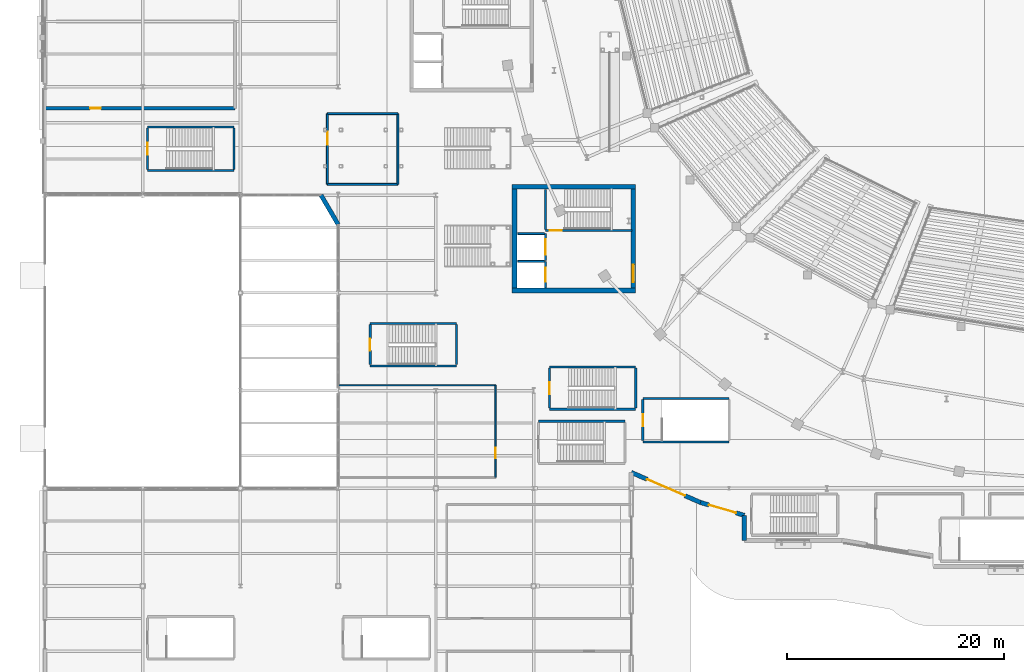
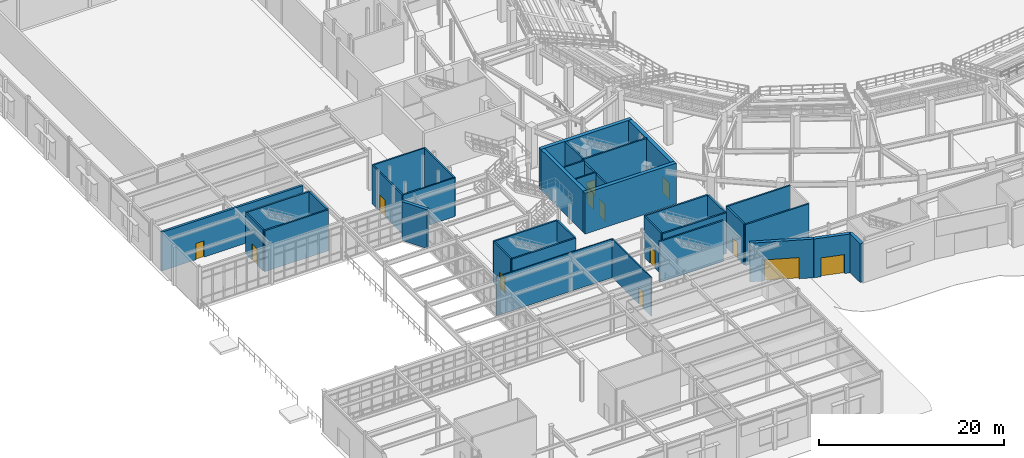
# One storey, part 48 of 79: 37 walls, 13 doors, 13 openings.
"""IFC4 building model written with IfcOpenShell, lengths in metres."""

from ifc_helpers import new_model, si_unit, direction, frame, frame_2d, origin, place, context, subcontext, project, spatial, rectangle, extrude, material, layer, layer_set, type_object, element, fill, save


model = new_model("IFC4")

# Units and contexts
model_context = context("Model", 3, precision=1e-05, world=origin(), true_north=direction((0.0, 1.0)))
body_context = subcontext(model_context, "Body", "Model", "MODEL_VIEW")
ifc_project = project(units=[si_unit("LENGTHUNIT", "METRE"), si_unit("AREAUNIT", "SQUARE_METRE"), si_unit("VOLUMEUNIT", "CUBIC_METRE"), si_unit("PLANEANGLEUNIT", "RADIAN"), si_unit("MASSUNIT", "GRAM", prefix="KILO")], contexts=[model_context])

# Site, building, storey
site_placement = place(None, origin())
site = spatial("IfcSite", under=ifc_project, at=site_placement, CompositionType="ELEMENT")
building_placement = place(site_placement, origin())
building = spatial("IfcBuilding", under=site, at=building_placement, Name="Glasvene Arena", CompositionType="ELEMENT")
storey_placement = place(building_placement, origin())
storey = spatial("IfcBuildingStorey", under=building, at=storey_placement, Name="L00", CompositionType="ELEMENT", Elevation=0.0)

# Walls
ifc_material_1 = material(Name="Concrete C40/50", Category="concrete")
ifc_layer_1 = layer(ifc_material_1, 0.449951171875)
ifc_layer_set_1 = layer_set([ifc_layer_1], Name="Concrete C40/50")
wall_type_1 = type_object("IfcWallType", Name="WL-CORE-450", PredefinedType="SHEAR", material=ifc_layer_set_1)
for number, where, z_axis, x_axis, name in (
    (1, (43.0, 45.22509765625, 0.0), (0.0, 0.0, 1.0), (1.0, 0.0, 0.0), "Core C3 South-West shear wall S L00"),
    (2, (43.0, 54.77490234375, 0.0), (0.0, 0.0, 1.0), (1.0, 0.0, 0.0), "Core C3 South-West shear wall N L00"),
):
    element("IfcWall", number, at=place(storey_placement, frame(where, z_axis=z_axis, x_axis=x_axis)), inside=storey, type_object=wall_type_1, Name=name, PredefinedType="SHEAR", context=body_context, shape_type="SweptSolid", body=[
        extrude(rectangle(XDim=11.39990234375, YDim=0.449951171875, at=frame_2d((5.699951171875, 0.0))), origin(), (0.0, 0.0, 1.0), 5.39990234375),
    ])
wall_1_placement = place(storey_placement, frame((43.22509765625, 45.449951171875, 0.0), z_axis=(0.0, 0.0, 1.0), x_axis=(0.0, 1.0, 0.0)))
element("IfcWall", 3, at=wall_1_placement, inside=storey, type_object=wall_type_1, Name="Core C3 South-West shear wall W L00", PredefinedType="SHEAR", context=body_context, shape_type="SweptSolid", body=[
    extrude(rectangle(XDim=9.10009765625, YDim=0.449951171875, at=frame_2d((4.550048828125, 0.0))), origin(), (0.0, 0.0, 1.0), 5.39990234375),
])

# Wall, opening, door
wall_2_placement = place(storey_placement, frame((54.175048828125, 45.449951171875, 0.0), z_axis=(0.0, 0.0, 1.0), x_axis=(0.0, 1.0, 0.0)))
wall_2 = element("IfcWall", 4, at=wall_2_placement, inside=storey, type_object=wall_type_1, Name="Core C3 South-West shear wall E L00", PredefinedType="SHEAR", context=body_context, shape_type="SweptSolid", body=[
    extrude(rectangle(XDim=9.10009765625, YDim=0.449951171875, at=frame_2d((4.550048828125, 0.0))), origin(), (0.0, 0.0, 1.0), 5.39990234375),
])
opening_1_placement = place(wall_2_placement, frame((0.550048828125, 0.0, 0.0)))
opening_1 = element("IfcOpeningElement", 5, at=opening_1_placement, cuts=wall_2, Name="Opening D-02", PredefinedType="OPENING", context=body_context, shape_type="SweptSolid", body=[
    extrude(rectangle(XDim=1.60009765625, YDim=2.199951171875, at=frame_2d((0.800048828125, 1.10009765625))), frame((0.0, 0.23486328125, 0.0), z_axis=(0.0, -1.0, 0.0), x_axis=(1.0, 0.0, 0.0)), (0.0, 0.0, 1.0), 0.469970703125),
])
ifc_material_2 = material(Name="Painted fire-resisting steel", Category="steel")
door_type_1 = type_object("IfcDoorType", Name="DR-FD60-1600", OperationType="DOUBLE_DOOR_SINGLE_SWING", PredefinedType="DOOR", material=ifc_material_2)
door_1_placement = place(opening_1_placement, frame((1.60009765625, 0.0, 0.0), z_axis=(0.0, 0.0, 1.0), x_axis=(-1.0, 0.0, 0.0)))
door_1 = element("IfcDoor", 6, at=door_1_placement, inside=storey, type_object=door_type_1, Name="Core firefighting lobby concourse door C3-L00", OperationType="DOUBLE_DOOR_SINGLE_SWING", OverallHeight=2.199951171875, OverallWidth=1.60009765625, PredefinedType="DOOR", context=body_context, shape_type="SweptSolid", body=[
    extrude(rectangle(XDim=1.60009765625, YDim=2.199951171875, at=frame_2d((0.800048828125, 1.10009765625))), frame((0.0, 0.02490234375, 0.0), z_axis=(0.0, -1.0, 0.0), x_axis=(1.0, 0.0, 0.0)), (0.0, 0.0, 1.0), 0.050048828125),
])
fill(opening_1, door_1)

# Walls
ifc_material_3 = material(Name="Coursed pale Irish limestone", Category="masonry")
ifc_layer_2 = layer(ifc_material_3, 0.39990234375)
ifc_layer_set_2 = layer_set([ifc_layer_2], Name="Coursed pale Irish limestone")
wall_type_2 = type_object("IfcWallType", Name="WL-EXT-LIM-400", PredefinedType="STANDARD", material=ifc_layer_set_2)
wall_3_placement = place(storey_placement, frame((27.0, 51.2998046875, 0.0), z_axis=(0.0, 0.0, 1.0), x_axis=(-0.505112575753, 0.863053466372, 0.0)))
element("IfcWall", 7, at=wall_3_placement, inside=storey, type_object=wall_type_2, Name="External facade wall EW-L00-0001", PredefinedType="STANDARD", context=body_context, shape_type="SweptSolid", body=[
    extrude(rectangle(XDim=3.128662109375, YDim=0.39990234375, at=frame_2d((1.564453125, 0.0))), origin(), (0.0, 0.0, 1.0), 5.1201171875),
])
wall_4_placement = place(storey_placement, frame((64.39990234375, 22.199951171875, 0.0), z_axis=(0.0, 0.0, 1.0), x_axis=(0.0, 1.0, 0.0)))
element("IfcWall", 8, at=wall_4_placement, inside=storey, type_object=wall_type_2, Name="External facade wall EW-L00-0051", PredefinedType="STANDARD", context=body_context, shape_type="SweptSolid", body=[
    extrude(rectangle(XDim=2.314208984375, YDim=0.39990234375, at=frame_2d((1.1572265625, 0.0))), origin(), (0.0, 0.0, 1.0), 5.1201171875),
])

# Wall, opening, door
wall_5_placement = place(storey_placement, frame((64.39990234375, 24.51416015625, 0.0), z_axis=(0.0, 0.0, 1.0), x_axis=(-0.959613893619, 0.281320413717, 0.0)))
wall_5 = element("IfcWall", 9, at=wall_5_placement, inside=storey, type_object=wall_type_2, Name="External facade wall EW-L00-0052", PredefinedType="STANDARD", context=body_context, shape_type="SweptSolid", body=[
    extrude(rectangle(XDim=4.188232421875, YDim=0.39990234375, at=frame_2d((2.09423828125, 0.0))), origin(), (0.0, 0.0, 1.0), 5.1201171875),
])
opening_2_placement = place(wall_5_placement, frame((0.7939453125, 0.0, 0.0)))
opening_2 = element("IfcOpeningElement", 10, at=opening_2_placement, cuts=wall_5, Name="Opening G-EXIT", PredefinedType="OPENING", context=body_context, shape_type="SweptSolid", body=[
    extrude(rectangle(XDim=2.60009765625, YDim=2.5, at=frame_2d((1.300048828125, 1.25))), frame((0.0, 0.2099609375, 0.0), z_axis=(0.0, -1.0, 0.0), x_axis=(1.0, 0.0, 0.0)), (0.0, 0.0, 1.0), 0.419921875),
])
ifc_material_4 = material(Name="Galvanised painted steel", Category="steel")
door_type_2 = type_object("IfcDoorType", Name="DR-GATE-2600", OperationType="DOUBLE_DOOR_SINGLE_SWING", PredefinedType="DOOR", material=ifc_material_4)
door_2_placement = place(opening_2_placement, origin())
door_2 = element("IfcDoor", 11, at=door_2_placement, inside=storey, type_object=door_type_2, Name="Pedestrian exit gate G08", OperationType="DOUBLE_DOOR_SINGLE_SWING", OverallHeight=2.5, OverallWidth=2.60009765625, PredefinedType="DOOR", context=body_context, shape_type="SweptSolid", body=[
    extrude(rectangle(XDim=2.60009765625, YDim=2.5, at=frame_2d((1.300048828125, 1.25))), frame((0.0, 0.02490234375, 0.0), z_axis=(0.0, -1.0, 0.0), x_axis=(1.0, 0.0, 0.0)), (0.0, 0.0, 1.0), 0.050048828125),
])
fill(opening_2, door_2)

wall_6_placement = place(storey_placement, frame((60.380859375, 25.6923828125, 0.0), z_axis=(0.0, 0.0, 1.0), x_axis=(-0.917435204173, 0.397885217298, 0.0)))
wall_6 = element("IfcWall", 12, at=wall_6_placement, inside=storey, type_object=wall_type_2, Name="External facade wall EW-L00-0053", PredefinedType="STANDARD", context=body_context, shape_type="SweptSolid", body=[
    extrude(rectangle(XDim=6.955078125, YDim=0.39990234375, at=frame_2d((3.4775390625, 0.0))), origin(), (0.0, 0.0, 1.0), 5.1201171875),
])
opening_3_placement = place(wall_6_placement, frame((1.577880859375, 0.0, 0.0)))
opening_3 = element("IfcOpeningElement", 13, at=opening_3_placement, cuts=wall_6, Name="Opening E-MAIN", PredefinedType="OPENING", context=body_context, shape_type="SweptSolid", body=[
    extrude(rectangle(XDim=3.800048828125, YDim=2.800048828125, at=frame_2d((1.89990234375, 1.39990234375))), frame((0.0, 0.2099609375, 0.0), z_axis=(0.0, -1.0, 0.0), x_axis=(1.0, 0.0, 0.0)), (0.0, 0.0, 1.0), 0.419921875),
])
ifc_material_5 = material(Name="Anodised architectural aluminium", Category="aluminium")
door_type_3 = type_object("IfcDoorType", Name="DR-ENT-3800", OperationType="DOUBLE_DOOR_SINGLE_SWING", PredefinedType="DOOR", material=ifc_material_5)
door_3_placement = place(opening_3_placement, origin())
door_3 = element("IfcDoor", 14, at=door_3_placement, inside=storey, type_object=door_type_3, Name="Main entrance E17", OperationType="DOUBLE_DOOR_SINGLE_SWING", OverallHeight=2.800048828125, OverallWidth=3.800048828125, PredefinedType="DOOR", context=body_context, shape_type="SweptSolid", body=[
    extrude(rectangle(XDim=3.800048828125, YDim=2.800048828125, at=frame_2d((1.89990234375, 1.39990234375))), frame((0.0, 0.02490234375, 0.0), z_axis=(0.0, -1.0, 0.0), x_axis=(1.0, 0.0, 0.0)), (0.0, 0.0, 1.0), 0.050048828125),
])
fill(opening_3, door_3)

# Wall
ifc_material_6 = material(Name="Lightweight gypsum metal-stud partition")
ifc_layer_3 = layer(ifc_material_6, 0.1201171875)
ifc_layer_set_3 = layer_set([ifc_layer_3], Name="Lightweight gypsum metal-stud partition")
wall_type_3 = type_object("IfcWallType", Name="WL-PART-120", PredefinedType="PARTITIONING", material=ifc_layer_set_3)
wall_7_placement = place(storey_placement, frame((27.02001953125, 36.5, 0.0), z_axis=(0.0, 0.0, 1.0), x_axis=(1.0, 0.0, 0.0)))
element("IfcWall", 15, at=wall_7_placement, inside=storey, type_object=wall_type_3, Name="Interior partition wall IW-L00-0089 (Forecourt Cafe and Bakery)", PredefinedType="PARTITIONING", context=body_context, shape_type="SweptSolid", body=[
    extrude(rectangle(XDim=14.47998046875, YDim=0.1201171875, at=frame_2d((7.239990234375, 0.0))), origin(), (0.0, 0.0, 1.0), 5.1201171875),
])

# Wall, opening, door
wall_8_placement = place(storey_placement, frame((41.5, 36.5, 0.0), z_axis=(0.0, 0.0, 1.0), x_axis=(0.0, -1.0, 0.0)))
wall_8 = element("IfcWall", 16, at=wall_8_placement, inside=storey, type_object=wall_type_3, Name="Interior partition wall IW-L00-0090 (Forecourt Cafe and Bakery)", PredefinedType="PARTITIONING", context=body_context, shape_type="SweptSolid", body=[
    extrude(rectangle(XDim=8.5, YDim=0.1201171875, at=frame_2d((4.25, 0.0))), origin(), (0.0, 0.0, 1.0), 5.1201171875),
])
opening_4_placement = place(wall_8_placement, frame((5.77490234375, 0.0, 0.0)))
opening_4 = element("IfcOpeningElement", 17, at=opening_4_placement, cuts=wall_8, Name="Opening D-07", PredefinedType="OPENING", context=body_context, shape_type="SweptSolid", body=[
    extrude(rectangle(XDim=0.949951171875, YDim=2.10009765625, at=frame_2d((0.47509765625, 1.050048828125))), frame((0.0, 0.070068359375, 0.0), z_axis=(0.0, -1.0, 0.0), x_axis=(1.0, 0.0, 0.0)), (0.0, 0.0, 1.0), 0.14013671875),
])
ifc_material_7 = material(Name="European oak fire-resisting timber", Category="wood")
door_type_4 = type_object("IfcDoorType", Name="DR-FD30-950", OperationType="NOTDEFINED", PredefinedType="DOOR", material=ifc_material_7)
door_4_placement = place(opening_4_placement, origin())
door_4 = element("IfcDoor", 18, at=door_4_placement, inside=storey, type_object=door_type_4, Name="Interior door DR-FD30-950 (Forecourt Cafe and Bakery)", OperationType="SINGLE_SWING_LEFT", OverallHeight=2.10009765625, OverallWidth=0.949951171875, PredefinedType="DOOR", context=body_context, shape_type="SweptSolid", body=[
    extrude(rectangle(XDim=0.949951171875, YDim=2.10009765625, at=frame_2d((0.47509765625, 1.050048828125))), frame((0.0, 0.02490234375, 0.0), z_axis=(0.0, -1.0, 0.0), x_axis=(1.0, 0.0, 0.0)), (0.0, 0.0, 1.0), 0.050048828125),
])
fill(opening_4, door_4)

ifc_layer_4 = layer(ifc_material_1, 0.199951171875)
ifc_layer_set_4 = layer_set([ifc_layer_4], Name="Concrete C40/50")
wall_type_4 = type_object("IfcWallType", Name="WL-SHAFT-200", PredefinedType="SHEAR", material=ifc_layer_set_4)
wall_9_placement = place(storey_placement, frame((46.10009765625, 45.449951171875, 0.0), z_axis=(0.0, 0.0, 1.0), x_axis=(0.0, 1.0, 0.0)))
wall_9 = element("IfcWall", 19, at=wall_9_placement, inside=storey, type_object=wall_type_4, Name="Lift shaft front wall FFL-03 L00", PredefinedType="SHEAR", context=body_context, shape_type="SweptSolid", body=[
    extrude(rectangle(XDim=2.449951171875, YDim=0.199951171875, at=frame_2d((1.22509765625, 0.0))), origin(), (0.0, 0.0, 1.0), 5.1201171875),
])
opening_5_placement = place(wall_9_placement, frame((0.574951171875, 0.0, 0.0)))
opening_5 = element("IfcOpeningElement", 20, at=opening_5_placement, cuts=wall_9, Name="Opening LD-FF", PredefinedType="OPENING", context=body_context, shape_type="SweptSolid", body=[
    extrude(rectangle(XDim=1.300048828125, YDim=2.199951171875, at=frame_2d((0.64990234375, 1.10009765625))), frame((0.0, 0.10986328125, 0.0), z_axis=(0.0, -1.0, 0.0), x_axis=(1.0, 0.0, 0.0)), (0.0, 0.0, 1.0), 0.219970703125),
])
ifc_material_8 = material(Name="Brushed stainless steel", Category="steel")
door_type_5 = type_object("IfcDoorType", Name="LD-FFL-1300", OperationType="DOUBLE_DOOR_SLIDING", PredefinedType="DOOR", material=ifc_material_8)
door_5_placement = place(opening_5_placement, origin())
door_5 = element("IfcDoor", 21, at=door_5_placement, inside=storey, type_object=door_type_5, Name="Lift sliding landing door LD-FFL-03-L00", OperationType="DOUBLE_DOOR_SLIDING", OverallHeight=2.199951171875, OverallWidth=1.300048828125, PredefinedType="DOOR", context=body_context, shape_type="SweptSolid", body=[
    extrude(rectangle(XDim=1.300048828125, YDim=2.199951171875, at=frame_2d((0.64990234375, 1.10009765625))), frame((0.0, 0.02490234375, 0.0), z_axis=(0.0, -1.0, 0.0), x_axis=(1.0, 0.0, 0.0)), (0.0, 0.0, 1.0), 0.050048828125),
])
fill(opening_5, door_5)

wall_10_placement = place(storey_placement, frame((46.10009765625, 48.0, 0.0), z_axis=(0.0, 0.0, 1.0), x_axis=(0.0, 1.0, 0.0)))
wall_10 = element("IfcWall", 22, at=wall_10_placement, inside=storey, type_object=wall_type_4, Name="Lift shaft front wall PL-03 L00", PredefinedType="SHEAR", context=body_context, shape_type="SweptSolid", body=[
    extrude(rectangle(XDim=2.449951171875, YDim=0.199951171875, at=frame_2d((1.22509765625, 0.0))), origin(), (0.0, 0.0, 1.0), 5.1201171875),
])
opening_6_placement = place(wall_10_placement, frame((0.52490234375, 0.0, 0.0)))
opening_6 = element("IfcOpeningElement", 23, at=opening_6_placement, cuts=wall_10, Name="Opening LD-PL", PredefinedType="OPENING", context=body_context, shape_type="SweptSolid", body=[
    extrude(rectangle(XDim=1.39990234375, YDim=2.199951171875, at=frame_2d((0.699951171875, 1.10009765625))), frame((0.0, 0.10986328125, 0.0), z_axis=(0.0, -1.0, 0.0), x_axis=(1.0, 0.0, 0.0)), (0.0, 0.0, 1.0), 0.219970703125),
])
door_type_6 = type_object("IfcDoorType", Name="LD-PL-1400", OperationType="DOUBLE_DOOR_SLIDING", PredefinedType="DOOR", material=ifc_material_8)
door_6_placement = place(opening_6_placement, origin())
door_6 = element("IfcDoor", 24, at=door_6_placement, inside=storey, type_object=door_type_6, Name="Lift sliding landing door LD-PL-03-L00", OperationType="DOUBLE_DOOR_SLIDING", OverallHeight=2.199951171875, OverallWidth=1.39990234375, PredefinedType="DOOR", context=body_context, shape_type="SweptSolid", body=[
    extrude(rectangle(XDim=1.39990234375, YDim=2.199951171875, at=frame_2d((0.699951171875, 1.10009765625))), frame((0.0, 0.02490234375, 0.0), z_axis=(0.0, -1.0, 0.0), x_axis=(1.0, 0.0, 0.0)), (0.0, 0.0, 1.0), 0.050048828125),
])
fill(opening_6, door_6)

wall_11_placement = place(storey_placement, frame((46.10009765625, 50.72998046875, 0.0), z_axis=(0.0, 0.0, 1.0), x_axis=(1.0, 0.0, 0.0)))
wall_11 = element("IfcWall", 25, at=wall_11_placement, inside=storey, type_object=wall_type_4, Name="Escape stair shaft wall ST-03 L00 S", PredefinedType="SHEAR", context=body_context, shape_type="SweptSolid", body=[
    extrude(rectangle(XDim=7.949951171875, YDim=0.199951171875, at=frame_2d((3.97509765625, 0.0))), origin(), (0.0, 0.0, 1.0), 5.39990234375),
])
opening_7_placement = place(wall_11_placement, frame((0.39990234375, 0.0, 0.0)))
opening_7 = element("IfcOpeningElement", 26, at=opening_7_placement, cuts=wall_11, Name="Opening D-04", PredefinedType="OPENING", context=body_context, shape_type="SweptSolid", body=[
    extrude(rectangle(XDim=1.10009765625, YDim=2.14990234375, at=frame_2d((0.550048828125, 1.074951171875))), frame((0.0, 0.10986328125, 0.0), z_axis=(0.0, -1.0, 0.0), x_axis=(1.0, 0.0, 0.0)), (0.0, 0.0, 1.0), 0.219970703125),
])
door_type_7 = type_object("IfcDoorType", Name="DR-FD60-1100", OperationType="NOTDEFINED", PredefinedType="DOOR", material=ifc_material_2)
door_7_placement = place(opening_7_placement, frame((1.10009765625, 0.0, 0.0), z_axis=(0.0, 0.0, 1.0), x_axis=(-1.0, 0.0, 0.0)))
door_7 = element("IfcDoor", 27, at=door_7_placement, inside=storey, type_object=door_type_7, Name="Protected escape stair door ST-03 L00", OperationType="SINGLE_SWING_LEFT", OverallHeight=2.14990234375, OverallWidth=1.10009765625, PredefinedType="DOOR", context=body_context, shape_type="SweptSolid", body=[
    extrude(rectangle(XDim=1.10009765625, YDim=2.14990234375, at=frame_2d((0.550048828125, 1.074951171875))), frame((0.0, 0.02490234375, 0.0), z_axis=(0.0, -1.0, 0.0), x_axis=(1.0, 0.0, 0.0)), (0.0, 0.0, 1.0), 0.050048828125),
])
fill(opening_7, door_7)

# Walls
wall_12_placement = place(storey_placement, frame((46.10009765625, 50.83203125, 0.0), z_axis=(0.0, 0.0, 1.0), x_axis=(0.0, 1.0, 0.0)))
element("IfcWall", 28, at=wall_12_placement, inside=storey, type_object=wall_type_4, Name="Escape stair shaft wall ST-03 L00 W", PredefinedType="SHEAR", context=body_context, shape_type="SweptSolid", body=[
    extrude(rectangle(XDim=3.68603515625, YDim=0.199951171875, at=frame_2d((1.843017578125, 0.0))), origin(), (0.0, 0.0, 1.0), 5.39990234375),
])
wall_13_placement = place(storey_placement, frame((46.449951171875, 34.280029296875, 0.0), z_axis=(0.0, 0.0, 1.0), x_axis=(1.0, 0.0, 0.0)))
element("IfcWall", 29, at=wall_13_placement, inside=storey, type_object=wall_type_4, Name="Escape stair shaft wall ST-05 L00 S", PredefinedType="SHEAR", context=body_context, shape_type="SweptSolid", body=[
    extrude(rectangle(XDim=7.949951171875, YDim=0.199951171875, at=frame_2d((3.97509765625, 0.0))), origin(), (0.0, 0.0, 1.0), 5.39990234375),
])

# Wall, opening, door
wall_14_placement = place(storey_placement, frame((46.449951171875, 34.382080078125, 0.0), z_axis=(0.0, 0.0, 1.0), x_axis=(0.0, 1.0, 0.0)))
wall_14 = element("IfcWall", 30, at=wall_14_placement, inside=storey, type_object=wall_type_4, Name="Escape stair shaft wall ST-05 L00 W", PredefinedType="SHEAR", context=body_context, shape_type="SweptSolid", body=[
    extrude(rectangle(XDim=3.68603515625, YDim=0.199951171875, at=frame_2d((1.843017578125, 0.0))), origin(), (0.0, 0.0, 1.0), 5.39990234375),
])
opening_8_placement = place(wall_14_placement, frame((1.29296875, 0.0, 0.0)))
opening_8 = element("IfcOpeningElement", 31, at=opening_8_placement, cuts=wall_14, Name="Opening D-04", PredefinedType="OPENING", context=body_context, shape_type="SweptSolid", body=[
    extrude(rectangle(XDim=1.10009765625, YDim=2.14990234375, at=frame_2d((0.550048828125, 1.074951171875))), frame((0.0, 0.10986328125, 0.0), z_axis=(0.0, -1.0, 0.0), x_axis=(1.0, 0.0, 0.0)), (0.0, 0.0, 1.0), 0.219970703125),
])
door_8_placement = place(opening_8_placement, frame((1.10009765625, 0.0, 0.0), z_axis=(0.0, 0.0, 1.0), x_axis=(-1.0, 0.0, 0.0)))
door_8 = element("IfcDoor", 32, at=door_8_placement, inside=storey, type_object=door_type_7, Name="Protected escape stair door ST-05 L00", OperationType="SINGLE_SWING_LEFT", OverallHeight=2.14990234375, OverallWidth=1.10009765625, PredefinedType="DOOR", context=body_context, shape_type="SweptSolid", body=[
    extrude(rectangle(XDim=1.10009765625, YDim=2.14990234375, at=frame_2d((0.550048828125, 1.074951171875))), frame((0.0, 0.02490234375, 0.0), z_axis=(0.0, -1.0, 0.0), x_axis=(1.0, 0.0, 0.0)), (0.0, 0.0, 1.0), 0.050048828125),
])
fill(opening_8, door_8)

# Walls
wall_15_placement = place(storey_placement, frame((54.39990234375, 34.382080078125, 0.0), z_axis=(0.0, 0.0, 1.0), x_axis=(0.0, 1.0, 0.0)))
element("IfcWall", 33, at=wall_15_placement, inside=storey, type_object=wall_type_4, Name="Escape stair shaft wall ST-05 L00 E", PredefinedType="SHEAR", context=body_context, shape_type="SweptSolid", body=[
    extrude(rectangle(XDim=3.68603515625, YDim=0.199951171875, at=frame_2d((1.843017578125, 0.0))), origin(), (0.0, 0.0, 1.0), 5.39990234375),
])
for number, where, z_axis, x_axis, name in (
    (34, (46.449951171875, 38.169921875, 0.0), (0.0, 0.0, 1.0), (1.0, 0.0, 0.0), "Escape stair shaft wall ST-05 L00 N"),
    (35, (9.449951171875, 56.280029296875, 0.0), (0.0, 0.0, 1.0), (1.0, 0.0, 0.0), "Escape stair shaft wall ST-13 L00 S"),
):
    element("IfcWall", number, at=place(storey_placement, frame(where, z_axis=z_axis, x_axis=x_axis)), inside=storey, type_object=wall_type_4, Name=name, PredefinedType="SHEAR", context=body_context, shape_type="SweptSolid", body=[
        extrude(rectangle(XDim=7.949951171875, YDim=0.199951171875, at=frame_2d((3.97509765625, 0.0))), origin(), (0.0, 0.0, 1.0), 5.39990234375),
    ])

# Wall, opening, door
wall_16_placement = place(storey_placement, frame((9.449951171875, 56.382080078125, 0.0), z_axis=(0.0, 0.0, 1.0), x_axis=(0.0, 1.0, 0.0)))
wall_16 = element("IfcWall", 36, at=wall_16_placement, inside=storey, type_object=wall_type_4, Name="Escape stair shaft wall ST-13 L00 W", PredefinedType="SHEAR", context=body_context, shape_type="SweptSolid", body=[
    extrude(rectangle(XDim=3.785888671875, YDim=0.199951171875, at=frame_2d((1.89306640625, 0.0))), origin(), (0.0, 0.0, 1.0), 5.39990234375),
])
opening_9_placement = place(wall_16_placement, frame((1.343017578125, 0.0, 0.0)))
opening_9 = element("IfcOpeningElement", 37, at=opening_9_placement, cuts=wall_16, Name="Opening D-04", PredefinedType="OPENING", context=body_context, shape_type="SweptSolid", body=[
    extrude(rectangle(XDim=1.10009765625, YDim=2.14990234375, at=frame_2d((0.550048828125, 1.074951171875))), frame((0.0, 0.10986328125, 0.0), z_axis=(0.0, -1.0, 0.0), x_axis=(1.0, 0.0, 0.0)), (0.0, 0.0, 1.0), 0.219970703125),
])
door_9_placement = place(opening_9_placement, frame((1.10009765625, 0.0, 0.0), z_axis=(0.0, 0.0, 1.0), x_axis=(-1.0, 0.0, 0.0)))
door_9 = element("IfcDoor", 38, at=door_9_placement, inside=storey, type_object=door_type_7, Name="Protected escape stair door ST-13 L00", OperationType="SINGLE_SWING_LEFT", OverallHeight=2.14990234375, OverallWidth=1.10009765625, PredefinedType="DOOR", context=body_context, shape_type="SweptSolid", body=[
    extrude(rectangle(XDim=1.10009765625, YDim=2.14990234375, at=frame_2d((0.550048828125, 1.074951171875))), frame((0.0, 0.02490234375, 0.0), z_axis=(0.0, -1.0, 0.0), x_axis=(1.0, 0.0, 0.0)), (0.0, 0.0, 1.0), 0.050048828125),
])
fill(opening_9, door_9)

# Walls
wall_17_placement = place(storey_placement, frame((17.39990234375, 56.382080078125, 0.0), z_axis=(0.0, 0.0, 1.0), x_axis=(0.0, 1.0, 0.0)))
element("IfcWall", 39, at=wall_17_placement, inside=storey, type_object=wall_type_4, Name="Escape stair shaft wall ST-13 L00 E", PredefinedType="SHEAR", context=body_context, shape_type="SweptSolid", body=[
    extrude(rectangle(XDim=3.785888671875, YDim=0.199951171875, at=frame_2d((1.89306640625, 0.0))), origin(), (0.0, 0.0, 1.0), 5.39990234375),
])
for number, where, z_axis, x_axis, name in (
    (40, (9.449951171875, 60.27001953125, 0.0), (0.0, 0.0, 1.0), (1.0, 0.0, 0.0), "Escape stair shaft wall ST-13 L00 N"),
    (41, (29.949951171875, 38.280029296875, 0.0), (0.0, 0.0, 1.0), (1.0, 0.0, 0.0), "Escape stair shaft wall ST-15 L00 S"),
):
    element("IfcWall", number, at=place(storey_placement, frame(where, z_axis=z_axis, x_axis=x_axis)), inside=storey, type_object=wall_type_4, Name=name, PredefinedType="SHEAR", context=body_context, shape_type="SweptSolid", body=[
        extrude(rectangle(XDim=7.949951171875, YDim=0.199951171875, at=frame_2d((3.97509765625, 0.0))), origin(), (0.0, 0.0, 1.0), 5.39990234375),
    ])

# Wall, opening, door
wall_18_placement = place(storey_placement, frame((29.949951171875, 38.382080078125, 0.0), z_axis=(0.0, 0.0, 1.0), x_axis=(0.0, 1.0, 0.0)))
wall_18 = element("IfcWall", 42, at=wall_18_placement, inside=storey, type_object=wall_type_4, Name="Escape stair shaft wall ST-15 L00 W", PredefinedType="SHEAR", context=body_context, shape_type="SweptSolid", body=[
    extrude(rectangle(XDim=3.68603515625, YDim=0.199951171875, at=frame_2d((1.843017578125, 0.0))), origin(), (0.0, 0.0, 1.0), 5.39990234375),
])
opening_10_placement = place(wall_18_placement, frame((1.29296875, 0.0, 0.0)))
opening_10 = element("IfcOpeningElement", 43, at=opening_10_placement, cuts=wall_18, Name="Opening D-04", PredefinedType="OPENING", context=body_context, shape_type="SweptSolid", body=[
    extrude(rectangle(XDim=1.10009765625, YDim=2.14990234375, at=frame_2d((0.550048828125, 1.074951171875))), frame((0.0, 0.10986328125, 0.0), z_axis=(0.0, -1.0, 0.0), x_axis=(1.0, 0.0, 0.0)), (0.0, 0.0, 1.0), 0.219970703125),
])
door_10_placement = place(opening_10_placement, frame((1.10009765625, 0.0, 0.0), z_axis=(0.0, 0.0, 1.0), x_axis=(-1.0, 0.0, 0.0)))
door_10 = element("IfcDoor", 44, at=door_10_placement, inside=storey, type_object=door_type_7, Name="Protected escape stair door ST-15 L00", OperationType="SINGLE_SWING_LEFT", OverallHeight=2.14990234375, OverallWidth=1.10009765625, PredefinedType="DOOR", context=body_context, shape_type="SweptSolid", body=[
    extrude(rectangle(XDim=1.10009765625, YDim=2.14990234375, at=frame_2d((0.550048828125, 1.074951171875))), frame((0.0, 0.02490234375, 0.0), z_axis=(0.0, -1.0, 0.0), x_axis=(1.0, 0.0, 0.0)), (0.0, 0.0, 1.0), 0.050048828125),
])
fill(opening_10, door_10)

# Walls
wall_19_placement = place(storey_placement, frame((37.89990234375, 38.382080078125, 0.0), z_axis=(0.0, 0.0, 1.0), x_axis=(0.0, 1.0, 0.0)))
element("IfcWall", 45, at=wall_19_placement, inside=storey, type_object=wall_type_4, Name="Escape stair shaft wall ST-15 L00 E", PredefinedType="SHEAR", context=body_context, shape_type="SweptSolid", body=[
    extrude(rectangle(XDim=3.68603515625, YDim=0.199951171875, at=frame_2d((1.843017578125, 0.0))), origin(), (0.0, 0.0, 1.0), 5.39990234375),
])
for number, where, z_axis, x_axis, name in (
    (46, (29.949951171875, 42.169921875, 0.0), (0.0, 0.0, 1.0), (1.0, 0.0, 0.0), "Escape stair shaft wall ST-15 L00 N"),
    (47, (45.449951171875, 33.169921875, 0.0), (0.0, 0.0, 1.0), (1.0, 0.0, 0.0), "Escape stair shaft wall ST-16 L00 N"),
    (48, (55.050048828125, 31.280029296875, 0.0), (0.0, 0.0, 1.0), (1.0, 0.0, 0.0), "Escape stair shaft wall ST-B06 L00 S"),
):
    element("IfcWall", number, at=place(storey_placement, frame(where, z_axis=z_axis, x_axis=x_axis)), inside=storey, type_object=wall_type_4, Name=name, PredefinedType="SHEAR", context=body_context, shape_type="SweptSolid", body=[
        extrude(rectangle(XDim=7.949951171875, YDim=0.199951171875, at=frame_2d((3.97509765625, 0.0))), origin(), (0.0, 0.0, 1.0), 5.39990234375),
    ])

# Wall, opening, door
wall_20_placement = place(storey_placement, frame((55.050048828125, 31.382080078125, 0.0), z_axis=(0.0, 0.0, 1.0), x_axis=(0.0, 1.0, 0.0)))
wall_20 = element("IfcWall", 49, at=wall_20_placement, inside=storey, type_object=wall_type_4, Name="Escape stair shaft wall ST-B06 L00 W", PredefinedType="SHEAR", context=body_context, shape_type="SweptSolid", body=[
    extrude(rectangle(XDim=3.785888671875, YDim=0.199951171875, at=frame_2d((1.89306640625, 0.0))), origin(), (0.0, 0.0, 1.0), 5.39990234375),
])
opening_11_placement = place(wall_20_placement, frame((1.343017578125, 0.0, 0.0)))
opening_11 = element("IfcOpeningElement", 50, at=opening_11_placement, cuts=wall_20, Name="Opening D-04", PredefinedType="OPENING", context=body_context, shape_type="SweptSolid", body=[
    extrude(rectangle(XDim=1.10009765625, YDim=2.14990234375, at=frame_2d((0.550048828125, 1.074951171875))), frame((0.0, 0.10986328125, 0.0), z_axis=(0.0, -1.0, 0.0), x_axis=(1.0, 0.0, 0.0)), (0.0, 0.0, 1.0), 0.219970703125),
])
door_11_placement = place(opening_11_placement, frame((1.10009765625, 0.0, 0.0), z_axis=(0.0, 0.0, 1.0), x_axis=(-1.0, 0.0, 0.0)))
door_11 = element("IfcDoor", 51, at=door_11_placement, inside=storey, type_object=door_type_7, Name="Protected escape stair door ST-B06 L00", OperationType="SINGLE_SWING_LEFT", OverallHeight=2.14990234375, OverallWidth=1.10009765625, PredefinedType="DOOR", context=body_context, shape_type="SweptSolid", body=[
    extrude(rectangle(XDim=1.10009765625, YDim=2.14990234375, at=frame_2d((0.550048828125, 1.074951171875))), frame((0.0, 0.02490234375, 0.0), z_axis=(0.0, -1.0, 0.0), x_axis=(1.0, 0.0, 0.0)), (0.0, 0.0, 1.0), 0.050048828125),
])
fill(opening_11, door_11)

# Wall
wall_21_placement = place(storey_placement, frame((55.050048828125, 35.27001953125, 0.0), z_axis=(0.0, 0.0, 1.0), x_axis=(1.0, 0.0, 0.0)))
element("IfcWall", 52, at=wall_21_placement, inside=storey, type_object=wall_type_4, Name="Escape stair shaft wall ST-B06 L00 N", PredefinedType="SHEAR", context=body_context, shape_type="SweptSolid", body=[
    extrude(rectangle(XDim=7.949951171875, YDim=0.199951171875, at=frame_2d((3.97509765625, 0.0))), origin(), (0.0, 0.0, 1.0), 5.39990234375),
])

# Wall, opening, door
ifc_material_9 = material(Name="Twin-frame acoustic gypsum partition")
ifc_layer_5 = layer(ifc_material_9, 0.280029296875)
ifc_layer_set_5 = layer_set([ifc_layer_5], Name="Twin-frame acoustic gypsum partition")
wall_type_5 = type_object("IfcWallType", Name="WL-STUDIO-280", PredefinedType="PARTITIONING", material=ifc_layer_set_5)
wall_22_placement = place(storey_placement, frame((17.5, 62.0, 0.0), z_axis=(0.0, 0.0, 1.0), x_axis=(-1.0, 0.0, 0.0)))
wall_22 = element("IfcWall", 53, at=wall_22_placement, inside=storey, type_object=wall_type_5, Name="Interior partition wall IW-L00-0103 (Practice Court Changing Room)", PredefinedType="PARTITIONING", context=body_context, shape_type="SweptSolid", body=[
    extrude(rectangle(XDim=17.625, YDim=0.280029296875, at=frame_2d((8.8125, 0.0))), origin(), (0.0, 0.0, 1.0), 5.1201171875),
])
opening_12_placement = place(wall_22_placement, frame((12.343994140625, 0.0, 0.0)))
opening_12 = element("IfcOpeningElement", 54, at=opening_12_placement, cuts=wall_22, Name="Opening D-06", PredefinedType="OPENING", context=body_context, shape_type="SweptSolid", body=[
    extrude(rectangle(XDim=1.0, YDim=2.14990234375, at=frame_2d((0.5, 1.074951171875))), frame((0.0, 0.14990234375, 0.0), z_axis=(0.0, -1.0, 0.0), x_axis=(1.0, 0.0, 0.0)), (0.0, 0.0, 1.0), 0.300048828125),
])
door_type_8 = type_object("IfcDoorType", Name="DR-FD30-1000", OperationType="NOTDEFINED", PredefinedType="DOOR", material=ifc_material_7)
door_12_placement = place(opening_12_placement, origin())
door_12 = element("IfcDoor", 55, at=door_12_placement, inside=storey, type_object=door_type_8, Name="Interior door DR-FD30-1000 (Practice Court Changing Room)", OperationType="SINGLE_SWING_RIGHT", OverallHeight=2.14990234375, OverallWidth=1.0, PredefinedType="DOOR", context=body_context, shape_type="SweptSolid", body=[
    extrude(rectangle(XDim=1.0, YDim=2.14990234375, at=frame_2d((0.5, 1.074951171875))), frame((0.0, 0.02490234375, 0.0), z_axis=(0.0, -1.0, 0.0), x_axis=(1.0, 0.0, 0.0)), (0.0, 0.0, 1.0), 0.050048828125),
])
fill(opening_12, door_12)

# Walls
ifc_material_10 = material(Name="Moisture-resistant masonry blockwork", Category="masonry")
ifc_layer_6 = layer(ifc_material_10, 0.179931640625)
ifc_layer_set_6 = layer_set([ifc_layer_6], Name="Moisture-resistant masonry blockwork")
wall_type_6 = type_object("IfcWallType", Name="WL-WET-180", PredefinedType="PARTITIONING", material=ifc_layer_set_6)
for number, where, z_axis, x_axis, name in (
    (56, (43.550048828125, 47.89990234375, 0.0), (0.0, 0.0, 1.0), (1.0, 0.0, 0.0), "Lift shaft divider wall C3 L00"),
    (57, (43.550048828125, 50.449951171875, 0.0), (0.0, 0.0, 1.0), (1.0, 0.0, 0.0), "Lift shaft north enclosure wall C3 L00"),
):
    element("IfcWall", number, at=place(storey_placement, frame(where, z_axis=z_axis, x_axis=x_axis)), inside=storey, type_object=wall_type_6, Name=name, PredefinedType="PARTITIONING", context=body_context, shape_type="SweptSolid", body=[
        extrude(rectangle(XDim=2.449951171875, YDim=0.179931640625, at=frame_2d((1.22509765625, 0.0))), origin(), (0.0, 0.0, 1.0), 5.39990234375),
    ])
for number, where, z_axis, x_axis, name in (
    (58, (26.0, 61.5, 0.0), (0.0, 0.0, 1.0), (1.0, 0.0, 0.0), "Interior partition wall IW-L00-0104 (Changing Places Toilet)"),
    (59, (32.5, 61.5, 0.0), (0.0, 0.0, 1.0), (0.0, -1.0, 0.0), "Interior partition wall IW-L00-0105 (Changing Places Toilet)"),
    (60, (32.5, 55.0, 0.0), (0.0, 0.0, 1.0), (-1.0, 0.0, 0.0), "Interior partition wall IW-L00-0106 (Changing Places Toilet)"),
):
    element("IfcWall", number, at=place(storey_placement, frame(where, z_axis=z_axis, x_axis=x_axis)), inside=storey, type_object=wall_type_6, Name=name, PredefinedType="PARTITIONING", context=body_context, shape_type="SweptSolid", body=[
        extrude(rectangle(XDim=6.5, YDim=0.179931640625, at=frame_2d((3.25, 0.0))), origin(), (0.0, 0.0, 1.0), 5.1201171875),
    ])

# Wall, opening, door
wall_23_placement = place(storey_placement, frame((26.0, 55.0, 0.0), z_axis=(0.0, 0.0, 1.0), x_axis=(0.0, 1.0, 0.0)))
wall_23 = element("IfcWall", 61, at=wall_23_placement, inside=storey, type_object=wall_type_6, Name="Interior partition wall IW-L00-0107 (Changing Places Toilet)", PredefinedType="PARTITIONING", context=body_context, shape_type="SweptSolid", body=[
    extrude(rectangle(XDim=6.5, YDim=0.179931640625, at=frame_2d((3.25, 0.0))), origin(), (0.0, 0.0, 1.0), 5.1201171875),
])
opening_13_placement = place(wall_23_placement, frame((3.64990234375, 0.0, 0.0)))
opening_13 = element("IfcOpeningElement", 62, at=opening_13_placement, cuts=wall_23, Name="Opening D-08", PredefinedType="OPENING", context=body_context, shape_type="SweptSolid", body=[
    extrude(rectangle(XDim=1.199951171875, YDim=2.14990234375, at=frame_2d((0.60009765625, 1.074951171875))), frame((0.0, 0.10009765625, 0.0), z_axis=(0.0, -1.0, 0.0), x_axis=(1.0, 0.0, 0.0)), (0.0, 0.0, 1.0), 0.199951171875),
])
ifc_material_11 = material(Name="European oak acoustic timber", Category="wood")
door_type_9 = type_object("IfcDoorType", Name="DR-ACC-1200", OperationType="NOTDEFINED", PredefinedType="DOOR", material=ifc_material_11)
door_13_placement = place(opening_13_placement, origin())
door_13 = element("IfcDoor", 63, at=door_13_placement, inside=storey, type_object=door_type_9, Name="Interior door DR-ACC-1200 (Changing Places Toilet)", OperationType="SINGLE_SWING_LEFT", OverallHeight=2.14990234375, OverallWidth=1.199951171875, PredefinedType="DOOR", context=body_context, shape_type="SweptSolid", body=[
    extrude(rectangle(XDim=1.199951171875, YDim=2.14990234375, at=frame_2d((0.60009765625, 1.074951171875))), frame((0.0, 0.02490234375, 0.0), z_axis=(0.0, -1.0, 0.0), x_axis=(1.0, 0.0, 0.0)), (0.0, 0.0, 1.0), 0.050048828125),
])
fill(opening_13, door_13)

save(model, "model.ifc")
